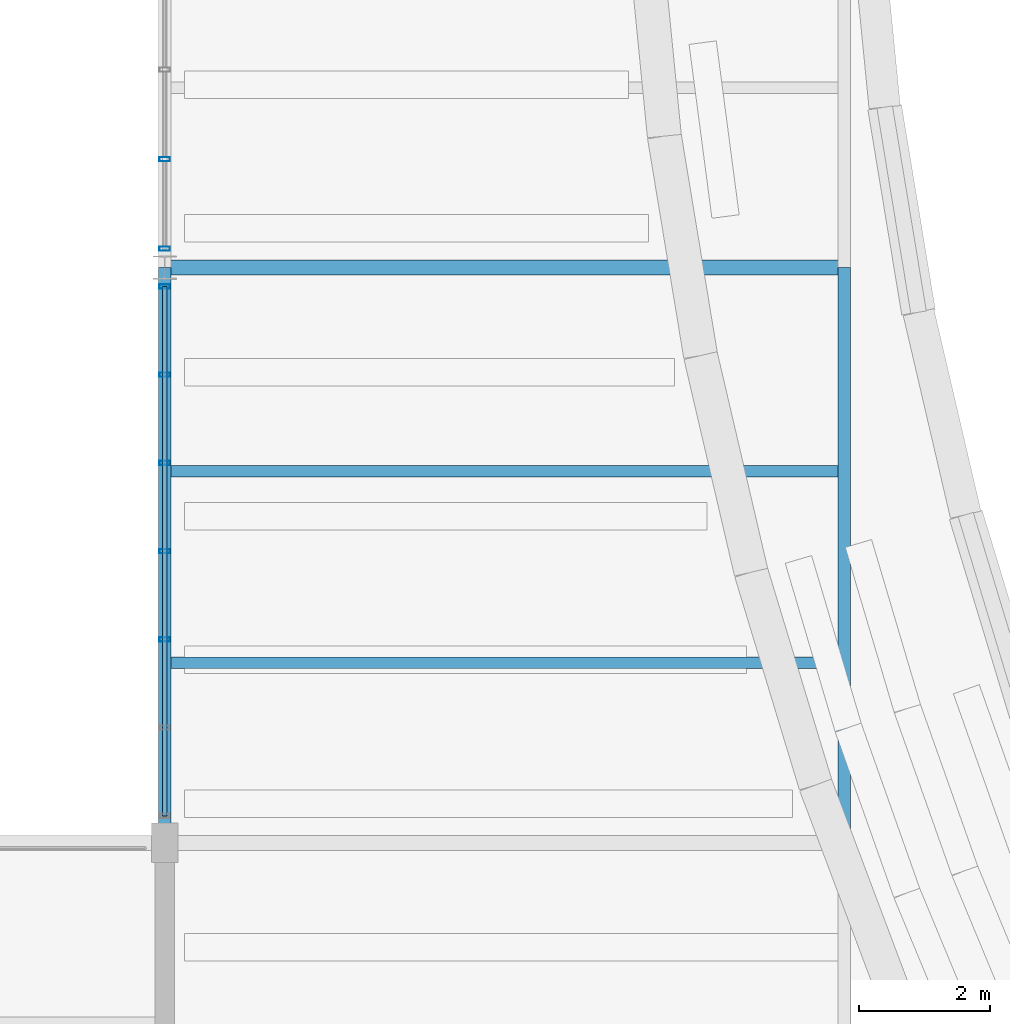
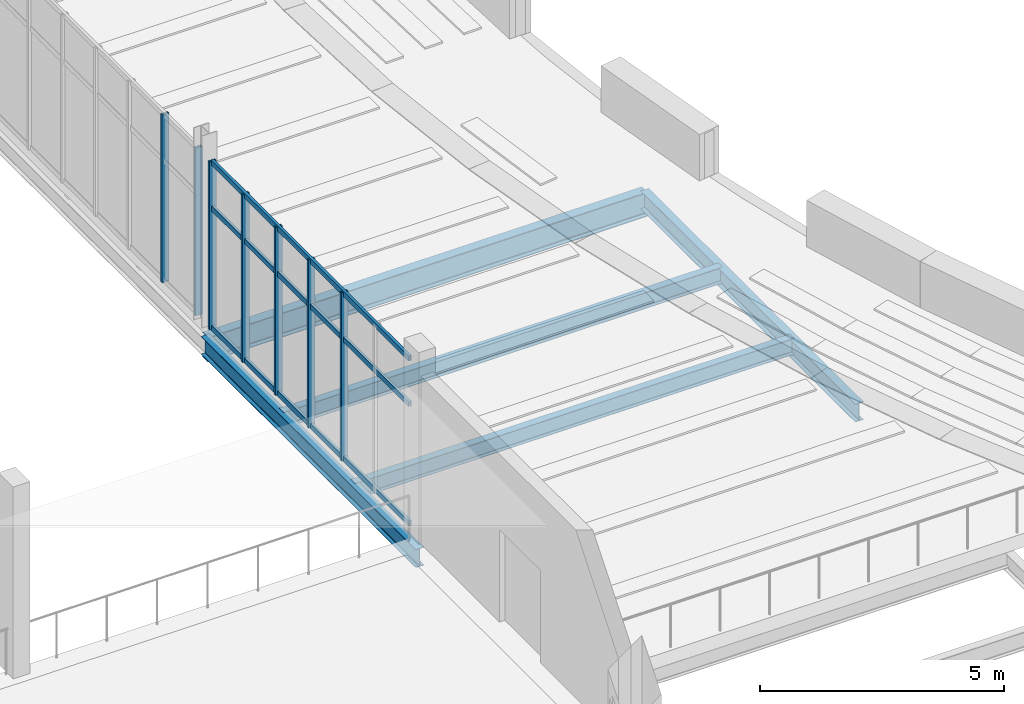
# One storey, part 109 of 157: 10 members, 5 beams, 2 elements without a shape of their own.
"""IFC4 building model written with IfcOpenShell, lengths in metres."""

from ifc_helpers import new_model, si_unit, direction, frame, origin, origin_2d, place, context, subcontext, project, spatial, hollow_rectangle, i_section, extrude, material, layer, layer_set, material_profile, profile_set, type_object, element, aggregate, save


model = new_model("IFC4")

# Units and contexts
model_context = context("Model", 3, precision=1e-05, world=origin(), true_north=direction((0.0, 1.0)))
body_context = subcontext(model_context, "Body", "Model", "MODEL_VIEW")
ifc_project = project(units=[si_unit("LENGTHUNIT", "METRE"), si_unit("AREAUNIT", "SQUARE_METRE"), si_unit("VOLUMEUNIT", "CUBIC_METRE"), si_unit("PLANEANGLEUNIT", "RADIAN"), si_unit("MASSUNIT", "GRAM", prefix="KILO")], contexts=[model_context])

# Site, building, storey
site_placement = place(None, origin())
site = spatial("IfcSite", under=ifc_project, at=site_placement, CompositionType="ELEMENT")
building_placement = place(site_placement, origin())
building = spatial("IfcBuilding", under=site, at=building_placement, Name="Chalmorin Arch Market", CompositionType="ELEMENT")
storey_placement = place(building_placement, frame((0.0, 0.0, 4.800048828125)))
storey = spatial("IfcBuildingStorey", under=building, at=storey_placement, Name="L01", CompositionType="ELEMENT", Elevation=4.800048828125)

# Curtain wall, members
ifc_material_1 = material(Name="Aluminium 6063-T6", Category="aluminium")
ifc_layer_1 = layer(ifc_material_1, 0.159912109375)
ifc_layer_set_1 = layer_set([ifc_layer_1], Name="Aluminium 6063-T6")
curtain_wall_type_1 = type_object("IfcCurtainWallType", Name="GableTympanumCurtainWall-CW4-8100x4200", PredefinedType="NOTDEFINED", material=ifc_layer_set_1)
curtain_wall_1_placement = place(storey_placement, origin())
curtain_wall_1 = element("IfcCurtainWall", 1, at=curtain_wall_1_placement, inside=storey, type_object=curtain_wall_type_1, Name="CW-04-038", PredefinedType="NOTDEFINED")
ifc_material_profile_1 = material_profile(ifc_material_1, hollow_rectangle(XDim=0.06494140625, YDim=0.159912109375, WallThickness=0.00390625, at=origin_2d()), Name="ALU65X160X4")
ifc_profile_set_1 = profile_set([ifc_material_profile_1], Name="Aluminium 6063-T6")
member_type_1 = type_object("IfcMemberType", Name="CurtainWallMullion-65x160", PredefinedType="MULLION", material=ifc_profile_set_1)
member_1_placement = place(storey_placement, frame((124.800048828125, 17.91064453125, 0.0), z_axis=(0.0, 0.0, 1.0), x_axis=(0.0, 1.0, 0.0)))
member_1 = element("IfcMember", 2, at=member_1_placement, type_object=member_type_1, Name="ML-038-03", PredefinedType="MULLION", context=body_context, shape_type="SweptSolid", body=[
    extrude(hollow_rectangle(XDim=0.06494140625, YDim=0.159912109375, WallThickness=0.00390625, at=origin_2d()), origin(), (0.0, 0.0, 1.0), 4.199951171875),
])
member_2_placement = place(storey_placement, frame((124.800048828125, 19.260986328125, 0.0), z_axis=(0.0, 0.0, 1.0), x_axis=(0.0, 1.0, 0.0)))
member_2 = element("IfcMember", 3, at=member_2_placement, type_object=member_type_1, Name="ML-038-04", PredefinedType="MULLION", context=body_context, shape_type="SweptSolid", body=[
    extrude(hollow_rectangle(XDim=0.06494140625, YDim=0.159912109375, WallThickness=0.00390625, at=origin_2d()), origin(), (0.0, 0.0, 1.0), 4.199951171875),
])
member_3_placement = place(storey_placement, frame((124.800048828125, 20.611328125, 0.0), z_axis=(0.0, 0.0, 1.0), x_axis=(0.0, 1.0, 0.0)))
member_3 = element("IfcMember", 4, at=member_3_placement, type_object=member_type_1, Name="ML-038-05", PredefinedType="MULLION", context=body_context, shape_type="SweptSolid", body=[
    extrude(hollow_rectangle(XDim=0.06494140625, YDim=0.159912109375, WallThickness=0.00390625, at=origin_2d()), origin(), (0.0, 0.0, 1.0), 4.199951171875),
])
member_4_placement = place(storey_placement, frame((124.800048828125, 21.961669921875, 0.0), z_axis=(0.0, 0.0, 1.0), x_axis=(0.0, 1.0, 0.0)))
member_4 = element("IfcMember", 5, at=member_4_placement, type_object=member_type_1, Name="ML-038-06", PredefinedType="MULLION", context=body_context, shape_type="SweptSolid", body=[
    extrude(hollow_rectangle(XDim=0.06494140625, YDim=0.159912109375, WallThickness=0.00390625, at=origin_2d()), origin(), (0.0, 0.0, 1.0), 4.199951171875),
])
member_5_placement = place(storey_placement, frame((124.800048828125, 23.31201171875, 0.0), z_axis=(0.0, 0.0, 1.0), x_axis=(0.0, 1.0, 0.0)))
member_5 = element("IfcMember", 6, at=member_5_placement, type_object=member_type_1, Name="ML-038-07", PredefinedType="MULLION", context=body_context, shape_type="SweptSolid", body=[
    extrude(hollow_rectangle(XDim=0.06494140625, YDim=0.159912109375, WallThickness=0.00390625, at=origin_2d()), origin(), (0.0, 0.0, 1.0), 4.199951171875),
])

ifc_layer_2 = layer(ifc_material_1, 0.159912109375)
ifc_layer_set_2 = layer_set([ifc_layer_2], Name="Aluminium 6063-T6")
curtain_wall_type_2 = type_object("IfcCurtainWallType", Name="GableTympanumCurtainWall-CW4-8220x4200", PredefinedType="NOTDEFINED", material=ifc_layer_set_2)
curtain_wall_2_placement = place(storey_placement, origin())
curtain_wall_2 = element("IfcCurtainWall", 7, at=curtain_wall_2_placement, inside=storey, type_object=curtain_wall_type_2, Name="CW-04-040", PredefinedType="NOTDEFINED")
member_6_placement = place(storey_placement, frame((124.800048828125, 23.887939453125, 0.0), z_axis=(0.0, 0.0, 1.0), x_axis=(0.0, 1.0, 0.0)))
member_6 = element("IfcMember", 8, at=member_6_placement, type_object=member_type_1, Name="ML-040-01", PredefinedType="MULLION", context=body_context, shape_type="SweptSolid", body=[
    extrude(hollow_rectangle(XDim=0.06494140625, YDim=0.159912109375, WallThickness=0.00390625, at=origin_2d()), origin(), (0.0, 0.0, 1.0), 4.199951171875),
])
member_7_placement = place(storey_placement, frame((124.800048828125, 25.2587890625, 0.0), z_axis=(0.0, 0.0, 1.0), x_axis=(0.0, 1.0, 0.0)))
member_7 = element("IfcMember", 9, at=member_7_placement, type_object=member_type_1, Name="ML-040-02", PredefinedType="MULLION", context=body_context, shape_type="SweptSolid", body=[
    extrude(hollow_rectangle(XDim=0.06494140625, YDim=0.159912109375, WallThickness=0.00390625, at=origin_2d()), origin(), (0.0, 0.0, 1.0), 4.199951171875),
])
aggregate(curtain_wall_2, [member_6, member_7])

# Member
ifc_material_profile_2 = material_profile(ifc_material_1, hollow_rectangle(XDim=0.06494140625, YDim=0.1298828125, WallThickness=0.00390625, at=origin_2d()), Name="ALU65X130X4")
ifc_profile_set_2 = profile_set([ifc_material_profile_2], Name="Aluminium 6063-T6")
member_type_2 = type_object("IfcMemberType", Name="CurtainWallTransom-65x130", PredefinedType="USERDEFINED", material=ifc_profile_set_2)
member_8_placement = place(storey_placement, frame((124.800048828125, 15.2099609375, 0.034912109375), z_axis=(0.0, 1.0, 0.0), x_axis=(-1.0, 0.0, 0.0)))
member_8 = element("IfcMember", 10, at=member_8_placement, type_object=member_type_2, Name="TR-038-01", ObjectType="TRANSOM", PredefinedType="USERDEFINED", context=body_context, shape_type="SweptSolid", body=[
    extrude(hollow_rectangle(XDim=0.06494140625, YDim=0.1298828125, WallThickness=0.00390625, at=origin_2d()), origin(), (0.0, 0.0, 1.0), 8.10205078125),
])

member_9_placement = place(storey_placement, frame((124.800048828125, 15.2099609375, 3.02392578125), z_axis=(0.0, 1.0, 0.0), x_axis=(-1.0, 0.0, 0.0)))
member_9 = element("IfcMember", 11, at=member_9_placement, type_object=member_type_2, Name="TR-038-02", ObjectType="TRANSOM", PredefinedType="USERDEFINED", context=body_context, shape_type="SweptSolid", body=[
    extrude(hollow_rectangle(XDim=0.06494140625, YDim=0.1298828125, WallThickness=0.00390625, at=origin_2d()), origin(), (0.0, 0.0, 1.0), 8.10205078125),
])

member_10_placement = place(storey_placement, frame((124.800048828125, 15.2099609375, 4.1650390625), z_axis=(0.0, 1.0, 0.0), x_axis=(-1.0, 0.0, 0.0)))
member_10 = element("IfcMember", 12, at=member_10_placement, type_object=member_type_2, Name="TR-038-03", ObjectType="TRANSOM", PredefinedType="USERDEFINED", context=body_context, shape_type="SweptSolid", body=[
    extrude(hollow_rectangle(XDim=0.06494140625, YDim=0.1298828125, WallThickness=0.00390625, at=origin_2d()), origin(), (0.0, 0.0, 1.0), 8.10205078125),
])

aggregate(curtain_wall_1, [member_1, member_2, member_3, member_4, member_5, member_8, member_9, member_10])

# Beams
ifc_material_2 = material(Name="Steel A992 Grade 50", Category="steel")
ifc_material_profile_3 = material_profile(ifc_material_2, i_section(OverallWidth=0.19091796875, OverallDepth=0.45703125, WebThickness=0.009033203125, FlangeThickness=0.014404296875, FilletRadius=0.02001953125, at=origin_2d()), Name="W18X50")
ifc_profile_set_3 = profile_set([ifc_material_profile_3], Name="Steel A992 Grade 50")
beam_type_1 = type_object("IfcBeamType", Name="PerimeterSpandrelBeam-W18X50", PredefinedType="SPANDREL", material=ifc_profile_set_3)
for number, where, z_axis, x_axis, name in (
    (13, (124.800048828125, 14.800048828125, -0.570556640625), (0.0, 1.0, 0.0), (-1.0, 0.0, 0.0), "SP-W18-0684"),
    (14, (135.199951171875, 14.800048828125, -0.570556640625), (0.0, 1.0, 0.0), (-1.0, 0.0, 0.0), "SP-W18-0685"),
):
    element("IfcBeam", number, at=place(storey_placement, frame(where, z_axis=z_axis, x_axis=x_axis)), inside=storey, type_object=beam_type_1, Name=name, PredefinedType="SPANDREL", context=body_context, shape_type="SweptSolid", body=[
        extrude(i_section(OverallWidth=0.19091796875, OverallDepth=0.45703125, WebThickness=0.009033203125, FlangeThickness=0.014404296875, FilletRadius=0.02001953125, at=origin_2d()), origin(), (0.0, 0.0, 1.0), 8.800048828125),
    ])
ifc_material_profile_4 = material_profile(ifc_material_2, i_section(OverallWidth=0.22802734375, OverallDepth=0.60791015625, WebThickness=0.01123046875, FlangeThickness=0.017333984375, FilletRadius=0.02392578125, at=origin_2d()), Name="W24X76")
ifc_profile_set_4 = profile_set([ifc_material_profile_4], Name="Steel A992 Grade 50")
beam_type_2 = type_object("IfcBeamType", Name="PrimarySteelGirder-W24X76", PredefinedType="BEAM", material=ifc_profile_set_4)
beam_placement = place(storey_placement, frame((124.800048828125, 23.60009765625, -0.64599609375), z_axis=(1.0, 0.0, 0.0), x_axis=(0.0, 1.0, 0.0)))
element("IfcBeam", 15, at=beam_placement, inside=storey, type_object=beam_type_2, Name="BG-W24B-0683", PredefinedType="BEAM", context=body_context, shape_type="SweptSolid", body=[
    extrude(i_section(OverallWidth=0.22802734375, OverallDepth=0.60791015625, WebThickness=0.01123046875, FlangeThickness=0.017333984375, FilletRadius=0.02392578125, at=origin_2d()), origin(), (0.0, 0.0, 1.0), 10.39990234375),
])
ifc_material_profile_5 = material_profile(ifc_material_2, i_section(OverallWidth=0.177978515625, OverallDepth=0.403076171875, WebThickness=0.007568359375, FlangeThickness=0.010986328125, FilletRadius=0.01806640625, at=origin_2d()), Name="W16X36")
ifc_profile_set_5 = profile_set([ifc_material_profile_5], Name="Steel A992 Grade 50")
beam_type_3 = type_object("IfcBeamType", Name="SecondaryFloorJoist-W16X36", PredefinedType="JOIST", material=ifc_profile_set_5)
for number, where, z_axis, x_axis, name in (
    (16, (124.800048828125, 17.55322265625, -0.54345703125), (1.0, 0.0, 0.0), (0.0, 1.0, 0.0), "BJ-W16B-0699"),
    (17, (124.800048828125, 20.48681640625, -0.54345703125), (1.0, 0.0, 0.0), (0.0, 1.0, 0.0), "BJ-W16B-0700"),
):
    element("IfcBeam", number, at=place(storey_placement, frame(where, z_axis=z_axis, x_axis=x_axis)), inside=storey, type_object=beam_type_3, Name=name, PredefinedType="JOIST", context=body_context, shape_type="SweptSolid", body=[
        extrude(i_section(OverallWidth=0.177978515625, OverallDepth=0.403076171875, WebThickness=0.007568359375, FlangeThickness=0.010986328125, FilletRadius=0.01806640625, at=origin_2d()), origin(), (0.0, 0.0, 1.0), 10.39990234375),
    ])

save(model, "model.ifc")
